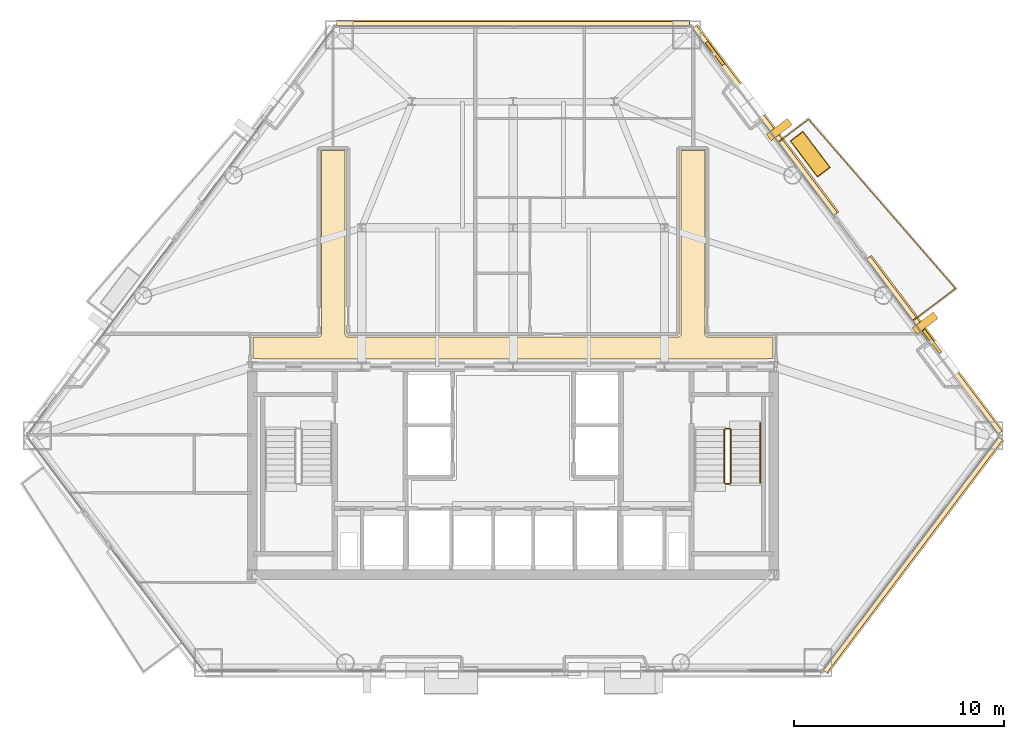
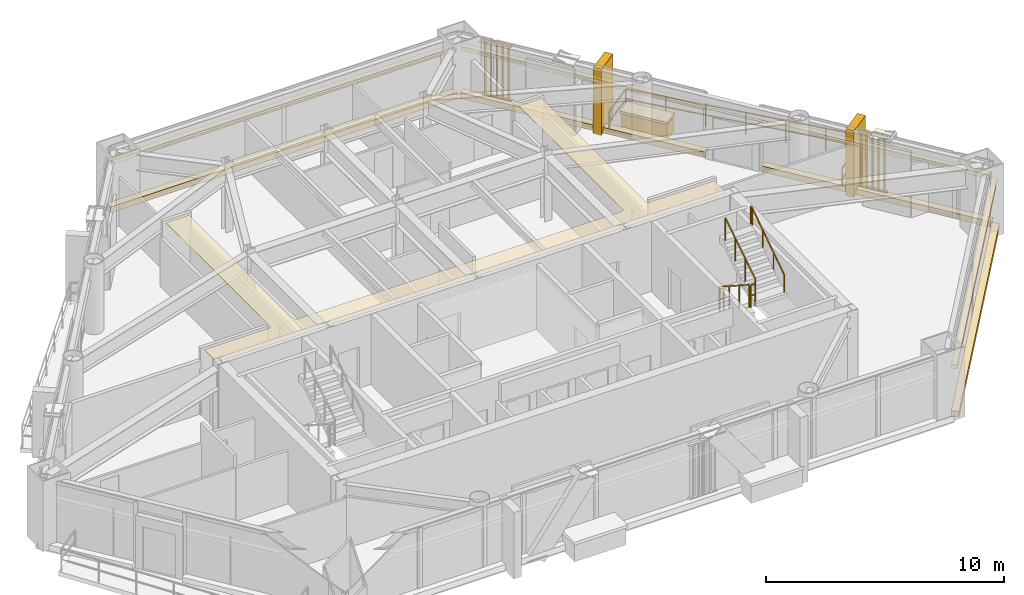
# One storey, part 10 of 10: 13 coverings, 6 railings, 2 shading devices.
"""IFC4 building model written with IfcOpenShell, lengths in metres."""

from ifc_helpers import new_model, si_unit, direction, frame, origin, origin_2d, place, context, subcontext, project, spatial, polyline, rectangle, outline, extrude, source, transform, mapped, material, layer, layer_set, type_object, type_shapes, element, save


model = new_model("IFC4")

# Units and contexts
model_context = context("Model", 3, precision=1e-05, world=origin(), true_north=direction((0.0, 1.0)))
body_context = subcontext(model_context, "Body", "Model", "MODEL_VIEW")
ifc_project = project(units=[si_unit("LENGTHUNIT", "METRE"), si_unit("AREAUNIT", "SQUARE_METRE"), si_unit("VOLUMEUNIT", "CUBIC_METRE"), si_unit("PLANEANGLEUNIT", "RADIAN"), si_unit("MASSUNIT", "GRAM", prefix="KILO")], contexts=[model_context])

# Site, building, storey
site_placement = place(None, origin())
site = spatial("IfcSite", under=ifc_project, at=site_placement, CompositionType="ELEMENT")
building_placement = place(site_placement, origin())
building = spatial("IfcBuilding", under=site, at=building_placement, Name="Talgorran Terracotta Tower", CompositionType="ELEMENT")
storey_placement = place(building_placement, frame((0.0, 0.0, 31.5)))
storey = spatial("IfcBuildingStorey", under=building, at=storey_placement, Name="L07", CompositionType="ELEMENT", Elevation=31.5)

# Coverings
ifc_material_1 = material(Name="Kiln-Fired Terracotta Ochre Ceramic", Category="masonry")
ifc_layer_1 = layer(ifc_material_1, 0.179931640625, Name="COV_BAGUETTE_TERRACOTTA_SCREEN")
ifc_layer_set_1 = layer_set([ifc_layer_1], Name="Kiln-Fired Terracotta Ochre Ceramic")
covering_type_1 = type_object("IfcCoveringType", Name="COV_BAGUETTE_TERRACOTTA_SCREEN", PredefinedType="CLADDING", material=ifc_layer_set_1)
covering_1_placement = place(storey_placement, frame((18.9912109375, -13.1455078125, 2.41015625), z_axis=(0.0, 0.0, 1.0), x_axis=(0.601815023152, 0.798635510047, 0.0)))
element("IfcCovering", 1, at=covering_1_placement, inside=storey, type_object=covering_type_1, Name="L07 Terracotta Baguette Solar Screen Assembly F2", PredefinedType="CLADDING", context=body_context, shape_type="SweptSolid", body=[
    extrude(rectangle(XDim=13.870849609375, YDim=0.260009765625, at=origin_2d()), origin(), (0.0, 0.0, 1.0), 0.219970703125),
])
covering_2_placement = place(storey_placement, frame((20.010986328125, -3.188720703125, 2.41015625), z_axis=(0.0, 0.0, 1.0), x_axis=(-0.601801084241, 0.798646013579, 0.0)))
element("IfcCovering", 2, at=covering_2_placement, inside=storey, type_object=covering_type_1, Name="L07 Terracotta Baguette Solar Screen Assembly F40", PredefinedType="CLADDING", context=body_context, shape_type="SweptSolid", body=[
    extrude(rectangle(XDim=10.401611328125, YDim=0.260009765625, at=origin_2d()), origin(), (0.0, 0.0, 1.0), 0.219970703125),
])
covering_3_placement = place(storey_placement, frame((11.962646484375, 7.491943359375, 2.41015625), z_axis=(0.0, 0.0, 1.0), x_axis=(-0.601815023152, 0.798635510047, 0.0)))
element("IfcCovering", 3, at=covering_3_placement, inside=storey, type_object=covering_type_1, Name="L07 Terracotta Baguette Solar Screen Assembly F41", PredefinedType="CLADDING", context=body_context, shape_type="SweptSolid", body=[
    extrude(rectangle(XDim=11.14599609375, YDim=0.260009765625, at=origin_2d()), origin(), (0.0, 0.0, 1.0), 0.219970703125),
])
covering_4_placement = place(storey_placement, frame((0.0, 12.0703125, 2.41015625), z_axis=(0.0, 0.0, 1.0), x_axis=(-1.0, 0.0, 0.0)))
element("IfcCovering", 4, at=covering_4_placement, inside=storey, type_object=covering_type_1, Name="L07 Terracotta Baguette Solar Screen Assembly F4", PredefinedType="CLADDING", context=body_context, shape_type="SweptSolid", body=[
    extrude(rectangle(XDim=16.78515625, YDim=0.260009765625, at=origin_2d()), origin(), (0.0, 0.0, 1.0), 0.219970703125),
])
ifc_material_2 = material(Name="Mineral Fibre Acoustic Tile")
ifc_layer_2 = layer(ifc_material_2, 0.02490234375, Name="COV_CEIL_ACOUSTIC")
ifc_layer_set_2 = layer_set([ifc_layer_2], Name="Mineral Fibre Acoustic Tile")
covering_type_2 = type_object("IfcCoveringType", Name="COV_CEIL_ACOUSTIC", PredefinedType="CEILING", material=ifc_layer_set_2)
covering_5_placement = place(storey_placement, frame((0.0, 0.0, 3.260009765625)))
element("IfcCovering", 5, at=covering_5_placement, inside=storey, type_object=covering_type_2, Name="CEIL-L07-2", PredefinedType="CEILING", context=body_context, shape_type="SweptSolid", body=[
    extrude(outline(polyline([(-12.364990234375, -2.784912109375), (-9.25, -2.784912109375), (-9.23828125, -2.784423828125), (-9.226806640625, -2.78271484375), (-9.21533203125, -2.77978515625), (-9.20703125, -2.77734375), (-9.196044921875, -2.7734375), (-9.185302734375, -2.768310546875), (-9.17529296875, -2.762451171875), (-9.165771484375, -2.75537109375), (-9.156982421875, -2.74755859375), (-9.149169921875, -2.73876953125), (-9.1435546875, -2.73193359375), (-9.136474609375, -2.722412109375), (-9.13037109375, -2.71240234375), (-9.125244140625, -2.70166015625), (-9.121337890625, -2.690673828125), (-9.118408203125, -2.67919921875), (-9.11669921875, -2.66748046875), (-9.1162109375, -2.65576171875), (-9.114990234375, 6.06494140625), (-7.985107421875, 6.06494140625), (-7.985107421875, -2.64990234375), (-7.984375, -2.66162109375), (-7.982666015625, -2.67333984375), (-7.97998046875, -2.6845703125), (-7.977294921875, -2.69287109375), (-7.973388671875, -2.7041015625), (-7.968505859375, -2.714599609375), (-7.96240234375, -2.724853515625), (-7.955322265625, -2.734375), (-7.947509765625, -2.742919921875), (-7.938720703125, -2.7509765625), (-7.931884765625, -2.756591796875), (-7.922607421875, -2.763671875), (-7.912353515625, -2.769775390625), (-7.901611328125, -2.774658203125), (-7.890625, -2.77880859375), (-7.879150390625, -2.781494140625), (-7.867431640625, -2.783203125), (-7.855712890625, -2.783935546875), (7.85009765625, -2.784912109375), (7.86181640625, -2.784423828125), (7.873291015625, -2.78271484375), (7.884521484375, -2.77978515625), (7.892822265625, -2.77734375), (7.904052734375, -2.7734375), (7.914794921875, -2.768310546875), (7.9248046875, -2.762451171875), (7.934326171875, -2.75537109375), (7.943115234375, -2.74755859375), (7.950927734375, -2.73876953125), (7.95654296875, -2.73193359375), (7.963623046875, -2.722412109375), (7.9697265625, -2.71240234375), (7.974609375, -2.70166015625), (7.978759765625, -2.690673828125), (7.981689453125, -2.67919921875), (7.9833984375, -2.66748046875), (7.98388671875, -2.65576171875), (7.985107421875, 6.06494140625), (9.114990234375, 6.06494140625), (9.114990234375, -2.64990234375), (9.115478515625, -2.66162109375), (9.1171875, -2.67333984375), (9.1201171875, -2.6845703125), (9.12255859375, -2.69287109375), (9.12646484375, -2.7041015625), (9.131591796875, -2.714599609375), (9.1376953125, -2.724853515625), (9.14453125, -2.734375), (9.152587890625, -2.742919921875), (9.1611328125, -2.7509765625), (9.16796875, -2.756591796875), (9.177490234375, -2.763671875), (9.1875, -2.769775390625), (9.1982421875, -2.774658203125), (9.20947265625, -2.77880859375), (9.220703125, -2.781494140625), (9.232421875, -2.783203125), (9.244384765625, -2.783935546875), (12.364990234375, -2.784912109375), (12.364990234375, -3.80908203125), (12.1201171875, -3.80908203125), (12.108154296875, -3.8095703125), (12.0966796875, -3.811279296875), (12.085205078125, -3.814208984375), (12.07421875, -3.818115234375), (12.0634765625, -3.8232421875), (12.05322265625, -3.8291015625), (12.0439453125, -3.836181640625), (12.03515625, -3.843994140625), (12.034423828125, -3.844970703125), (7.432861328125, -3.844970703125), (6.968017578125, -3.843017578125), (6.967529296875, -3.843017578125), (0.232666015625, -3.844970703125), (-0.23193359375, -3.843017578125), (-0.232421875, -3.843017578125), (-6.96728515625, -3.844970703125), (-7.431884765625, -3.843017578125), (-7.4326171875, -3.843017578125), (-12.034423828125, -3.844970703125), (-12.03515625, -3.843994140625), (-12.0439453125, -3.836181640625), (-12.05322265625, -3.8291015625), (-12.0634765625, -3.8232421875), (-12.07421875, -3.818115234375), (-12.085205078125, -3.814208984375), (-12.0966796875, -3.811279296875), (-12.108154296875, -3.8095703125), (-12.1201171875, -3.80908203125), (-12.364990234375, -3.80908203125), (-12.364990234375, -2.784912109375)])), origin(), (0.0, 0.0, 1.0), 0.02001953125),
])
ifc_material_3 = material(Name="Honed Limestone and Terracotta Planter", Category="masonry")
ifc_layer_3 = layer(ifc_material_3, 0.1201171875, Name="COV_PLANTER_BOX")
ifc_layer_set_3 = layer_set([ifc_layer_3], Name="Honed Limestone and Terracotta Planter")
covering_type_3 = type_object("IfcCoveringType", Name="COV_PLANTER_BOX", PredefinedType="CLADDING", material=ifc_layer_set_3)
covering_6_placement = place(storey_placement, frame((14.12548828125, 5.901123046875, -0.02001953125), z_axis=(0.0, 0.0, 1.0), x_axis=(-0.601815023152, 0.798635510047, 0.0)))
element("IfcCovering", 6, at=covering_6_placement, inside=storey, type_object=covering_type_3, Name="L07 Staggered Balcony Planter Box BAL-NE", PredefinedType="CLADDING", context=body_context, shape_type="SweptSolid", body=[
    extrude(rectangle(XDim=2.10009765625, YDim=0.719970703125, at=origin_2d()), origin(), (0.0, 0.0, 1.0), 0.860107421875),
])
ifc_material_4 = material(Name="Kiln-Fired Terracotta Planter Rim", Category="masonry")
ifc_layer_4 = layer(ifc_material_4, 0.10009765625, Name="COV_PLANTER_RIM")
ifc_layer_set_4 = layer_set([ifc_layer_4], Name="Kiln-Fired Terracotta Planter Rim")
covering_type_4 = type_object("IfcCoveringType", Name="COV_PLANTER_RIM", PredefinedType="CLADDING", material=ifc_layer_set_4)
covering_7_placement = place(storey_placement, frame((14.12548828125, 5.901123046875, 0.800048828125), z_axis=(0.0, 0.0, 1.0), x_axis=(-0.601815023152, 0.798635510047, 0.0)))
element("IfcCovering", 7, at=covering_7_placement, inside=storey, type_object=covering_type_4, Name="L07 Balcony Planter Terracotta Rim BAL-NE", PredefinedType="CLADDING", context=body_context, shape_type="SweptSolid", body=[
    extrude(rectangle(XDim=2.179931640625, YDim=0.780029296875, at=origin_2d()), origin(), (0.0, 0.0, 1.0), 0.1201171875),
])
ifc_material_5 = material(Name="Honed Limestone Cladding", Category="masonry")
ifc_layer_5 = layer(ifc_material_5, 0.094970703125, Name="COV_PORTAL_LIME")
ifc_layer_set_5 = layer_set([ifc_layer_5], Name="Honed Limestone Cladding")
covering_type_5 = type_object("IfcCoveringType", Name="COV_PORTAL_LIME", PredefinedType="CLADDING", material=ifc_layer_set_5)
covering_8_placement = place(storey_placement, frame((19.591064453125, -2.133056640625, -0.050048828125), z_axis=(0.0, 0.0, 1.0), x_axis=(-0.601815023152, 0.798635510047, 0.0)))
element("IfcCovering", 8, at=covering_8_placement, inside=storey, type_object=covering_type_5, Name="L07 White Striped Portal Fin F3-1", PredefinedType="CLADDING", context=body_context, shape_type="SweptSolid", body=[
    extrude(rectangle(XDim=0.3798828125, YDim=1.25, at=origin_2d()), origin(), (0.0, 0.0, 1.0), 3.39990234375),
])
ifc_material_6 = material(Name="Kiln-Fired Terracotta Cladding", Category="masonry")
ifc_layer_6 = layer(ifc_material_6, 0.090087890625, Name="COV_PORTAL_TERRA")
ifc_layer_set_6 = layer_set([ifc_layer_6], Name="Kiln-Fired Terracotta Cladding")
covering_type_6 = type_object("IfcCoveringType", Name="COV_PORTAL_TERRA", PredefinedType="CLADDING", material=ifc_layer_set_6)
covering_9_placement = place(storey_placement, frame((19.023193359375, -13.16943359375, -0.0400390625), z_axis=(0.0, 0.0, 1.0), x_axis=(0.601815023152, 0.798635510047, 0.0)))
element("IfcCovering", 9, at=covering_9_placement, inside=storey, type_object=covering_type_6, Name="L07 Striped Postmodern Portal Cladding Band F2", PredefinedType="CLADDING", context=body_context, shape_type="SweptSolid", body=[
    extrude(rectangle(XDim=13.890869140625, YDim=0.340087890625, at=origin_2d()), origin(), (0.0, 0.0, 1.0), 0.300048828125),
])
covering_10_placement = place(storey_placement, frame((20.04296875, -3.164794921875, -0.0400390625), z_axis=(0.0, 0.0, 1.0), x_axis=(-0.601801084241, 0.798646013579, 0.0)))
element("IfcCovering", 10, at=covering_10_placement, inside=storey, type_object=covering_type_6, Name="L07 Striped Postmodern Portal Cladding Band F40", PredefinedType="CLADDING", context=body_context, shape_type="SweptSolid", body=[
    extrude(rectangle(XDim=10.421630859375, YDim=0.340087890625, at=origin_2d()), origin(), (0.0, 0.0, 1.0), 0.300048828125),
])
covering_11_placement = place(storey_placement, frame((11.994384765625, 7.51611328125, -0.0400390625), z_axis=(0.0, 0.0, 1.0), x_axis=(-0.601815023152, 0.798635510047, 0.0)))
element("IfcCovering", 11, at=covering_11_placement, inside=storey, type_object=covering_type_6, Name="L07 Striped Postmodern Portal Cladding Band F41", PredefinedType="CLADDING", context=body_context, shape_type="SweptSolid", body=[
    extrude(rectangle(XDim=11.166015625, YDim=0.340087890625, at=origin_2d()), origin(), (0.0, 0.0, 1.0), 0.300048828125),
])
covering_12_placement = place(storey_placement, frame((0.0, 12.1103515625, -0.0400390625), z_axis=(0.0, 0.0, 1.0), x_axis=(-1.0, 0.0, 0.0)))
element("IfcCovering", 12, at=covering_12_placement, inside=storey, type_object=covering_type_6, Name="L07 Striped Postmodern Portal Cladding Band F4", PredefinedType="CLADDING", context=body_context, shape_type="SweptSolid", body=[
    extrude(rectangle(XDim=16.80517578125, YDim=0.340087890625, at=origin_2d()), origin(), (0.0, 0.0, 1.0), 0.300048828125),
])
covering_13_placement = place(storey_placement, frame((12.656005859375, 7.070068359375, -0.050048828125), z_axis=(0.0, 0.0, 1.0), x_axis=(-0.601815023152, 0.798635510047, 0.0)))
element("IfcCovering", 13, at=covering_13_placement, inside=storey, type_object=covering_type_6, Name="L07 Terracotta Striped Portal Fin F3-2", PredefinedType="CLADDING", context=body_context, shape_type="SweptSolid", body=[
    extrude(rectangle(XDim=0.3798828125, YDim=1.25, at=origin_2d()), origin(), (0.0, 0.0, 1.0), 3.39990234375),
])

# Railings
ifc_material_7 = material(Name="Laminated Glass and Stainless Steel 316", Category="steel")
railing_type_1 = type_object("IfcRailingType", Name="RL_BALCONY_1150", PredefinedType="BALUSTRADE", material=ifc_material_7)
railing_1_placement = place(storey_placement, frame((19.01806640625, -2.004150390625, 0.0)))
element("IfcRailing", 14, at=railing_1_placement, inside=storey, type_object=railing_type_1, Name="RL-L07-BAL-BAL-NE", PredefinedType="BALUSTRADE", context=body_context, shape_type="SweptSolid", body=[
    extrude(rectangle(XDim=0.048095703125, YDim=0.048095703125, at=origin_2d()), frame((0.0, 0.0, 1.1259765625), z_axis=(0.798650114079, 0.601795642459, 0.0), x_axis=(-0.601795642459, 0.798650114079, 0.0)), (0.0, 0.0, 1.0), 2.521240234375),
    extrude(rectangle(XDim=0.048095703125, YDim=0.048095703125, at=origin_2d()), frame((0.0, 0.0, 0.597900390625), z_axis=(0.798650114079, 0.601795642459, 0.0), x_axis=(-0.601795642459, 0.798650114079, 0.0)), (0.0, 0.0, 1.0), 2.521240234375),
    extrude(rectangle(XDim=0.048095703125, YDim=0.048095703125, at=origin_2d()), frame((2.013671875, 1.517333984375, 1.1259765625), z_axis=(-0.655873996829, 0.754870386413, 0.0), x_axis=(-0.754870386413, -0.655873996829, 0.0)), (0.0, 0.0, 1.0), 10.65380859375),
    extrude(rectangle(XDim=0.048095703125, YDim=0.048095703125, at=origin_2d()), frame((2.013671875, 1.517333984375, 0.597900390625), z_axis=(-0.655873996829, 0.754870386413, 0.0), x_axis=(-0.754870386413, -0.655873996829, 0.0)), (0.0, 0.0, 1.0), 10.65380859375),
    extrude(rectangle(XDim=0.048095703125, YDim=0.048095703125, at=origin_2d()), frame((-4.973876953125, 9.5595703125, 1.1259765625), z_axis=(-0.798599421322, -0.60186291152, 0.0), x_axis=(0.60186291152, -0.798599421322, 0.0)), (0.0, 0.0, 1.0), 1.78076171875),
    extrude(rectangle(XDim=0.048095703125, YDim=0.048095703125, at=origin_2d()), frame((-4.973876953125, 9.5595703125, 0.597900390625), z_axis=(-0.798599421322, -0.60186291152, 0.0), x_axis=(0.60186291152, -0.798599421322, 0.0)), (0.0, 0.0, 1.0), 1.78076171875),
    extrude(rectangle(XDim=0.0419921875, YDim=0.0419921875, at=origin_2d()), origin(), (0.0, 0.0, 1.0), 1.101806640625),
    extrude(rectangle(XDim=0.0419921875, YDim=0.0419921875, at=origin_2d()), frame((1.0068359375, 0.7587890625, 0.0)), (0.0, 0.0, 1.0), 1.101806640625),
    extrude(rectangle(XDim=0.0419921875, YDim=0.0419921875, at=origin_2d()), frame((2.013671875, 1.517333984375, 0.0)), (0.0, 0.0, 1.0), 1.101806640625),
    extrude(rectangle(XDim=0.0419921875, YDim=0.0419921875, at=origin_2d()), frame((0.84912109375, 2.857666015625, 0.0)), (0.0, 0.0, 1.0), 1.101806640625),
    extrude(rectangle(XDim=0.0419921875, YDim=0.0419921875, at=origin_2d()), frame((-0.3154296875, 4.197998046875, 0.0)), (0.0, 0.0, 1.0), 1.101806640625),
    extrude(rectangle(XDim=0.0419921875, YDim=0.0419921875, at=origin_2d()), frame((-1.47998046875, 5.53857421875, 0.0)), (0.0, 0.0, 1.0), 1.101806640625),
    extrude(rectangle(XDim=0.0419921875, YDim=0.0419921875, at=origin_2d()), frame((-2.644775390625, 6.87890625, 0.0)), (0.0, 0.0, 1.0), 1.101806640625),
    extrude(rectangle(XDim=0.0419921875, YDim=0.0419921875, at=origin_2d()), frame((-3.809326171875, 8.21923828125, 0.0)), (0.0, 0.0, 1.0), 1.101806640625),
    extrude(rectangle(XDim=0.0419921875, YDim=0.0419921875, at=origin_2d()), frame((-4.973876953125, 9.5595703125, 0.0)), (0.0, 0.0, 1.0), 1.101806640625),
    extrude(rectangle(XDim=0.0419921875, YDim=0.0419921875, at=origin_2d()), frame((-6.39599609375, 8.48779296875, 0.0)), (0.0, 0.0, 1.0), 1.101806640625),
])
ifc_material_8 = material(Name="Steel S355 (300PLUS)", Category="steel")
railing_type_2 = type_object("IfcRailingType", Name="RL_HANDRAIL_920", PredefinedType="HANDRAIL", material=ifc_material_8)
railing_2_placement = place(storey_placement, frame((11.75, -9.719970703125, 1.97998046875)))
element("IfcRailing", 15, at=railing_2_placement, inside=storey, type_object=railing_type_2, Name="L07 ST-02 stair handrail 2", PredefinedType="HANDRAIL", context=body_context, shape_type="SweptSolid", body=[
    extrude(rectangle(XDim=0.048095703125, YDim=0.048095703125, at=origin_2d()), frame((0.0, 0.0, 0.89599609375), z_axis=(0.0, 0.832038719335, 0.554717558338), x_axis=(-1.0, 0.0, 0.0)), (0.0, 0.0, 1.0), 3.244873046875),
    extrude(rectangle(XDim=0.048095703125, YDim=0.048095703125, at=origin_2d()), frame((0.0, 2.699951171875, 2.69580078125), z_axis=(0.0, 1.0, 0.0), x_axis=(-1.0, 0.0, 0.0)), (0.0, 0.0, 1.0), 0.1201171875),
    extrude(rectangle(XDim=0.0419921875, YDim=0.0419921875, at=origin_2d()), origin(), (0.0, 0.0, 1.0), 0.871826171875),
    extrude(rectangle(XDim=0.0419921875, YDim=0.0419921875, at=origin_2d()), frame((0.0, 0.89990234375, 0.60009765625)), (0.0, 0.0, 1.0), 0.871826171875),
    extrude(rectangle(XDim=0.0419921875, YDim=0.0419921875, at=origin_2d()), frame((0.0, 1.800048828125, 1.199951171875)), (0.0, 0.0, 1.0), 0.871826171875),
    extrude(rectangle(XDim=0.0419921875, YDim=0.0419921875, at=origin_2d()), frame((0.0, 2.699951171875, 1.800048828125)), (0.0, 0.0, 1.0), 0.871826171875),
    extrude(rectangle(XDim=0.0419921875, YDim=0.0419921875, at=origin_2d()), frame((0.0, 2.820068359375, 1.800048828125)), (0.0, 0.0, 1.0), 0.871826171875),
])
railing_type_3 = type_object("IfcRailingType", Name="RL_STAIR_GUARD", PredefinedType="GUARDRAIL", material=ifc_material_8)
railing_3_placement = place(storey_placement, frame((10.050048828125, -7.199951171875, 0.179931640625)))
element("IfcRailing", 16, at=railing_3_placement, inside=storey, type_object=railing_type_3, Name="L07 ST-02 stair guard 1", PredefinedType="GUARDRAIL", context=body_context, shape_type="SweptSolid", body=[
    extrude(rectangle(XDim=0.048095703125, YDim=0.048095703125, at=origin_2d()), frame((0.0, 0.0, 1.15576171875), z_axis=(0.0, -0.841162588446, 0.540782303519), x_axis=(1.0, 0.0, 0.0)), (0.0, 0.0, 1.0), 2.995849609375),
    extrude(rectangle(XDim=0.0419921875, YDim=0.0419921875, at=origin_2d()), origin(), (0.0, 0.0, 1.0), 1.1318359375),
    extrude(rectangle(XDim=0.0419921875, YDim=0.0419921875, at=origin_2d()), frame((0.0, -0.840087890625, 0.5400390625)), (0.0, 0.0, 1.0), 1.1318359375),
    extrude(rectangle(XDim=0.0419921875, YDim=0.0419921875, at=origin_2d()), frame((0.0, -1.679931640625, 1.080078125)), (0.0, 0.0, 1.0), 1.1318359375),
    extrude(rectangle(XDim=0.0419921875, YDim=0.0419921875, at=origin_2d()), frame((0.0, -2.52001953125, 1.6201171875)), (0.0, 0.0, 1.0), 1.1318359375),
])
railing_4_placement = place(storey_placement, frame((10.10009765625, -9.77001953125, 1.800048828125)))
element("IfcRailing", 17, at=railing_4_placement, inside=storey, type_object=railing_type_3, Name="L07 ST-02 stair guard 2", PredefinedType="GUARDRAIL", context=body_context, shape_type="SweptSolid", body=[
    extrude(rectangle(XDim=0.048095703125, YDim=0.048095703125, at=origin_2d()), frame((0.0, 0.0, 1.15576171875), z_axis=(1.0, 0.0, 0.0), x_axis=(0.0, 1.0, 0.0)), (0.0, 0.0, 1.0), 0.199951171875),
    extrude(rectangle(XDim=0.048095703125, YDim=0.048095703125, at=origin_2d()), frame((0.0, 0.0, 0.613525390625), z_axis=(1.0, 0.0, 0.0), x_axis=(0.0, 1.0, 0.0)), (0.0, 0.0, 1.0), 0.199951171875),
    extrude(rectangle(XDim=0.0419921875, YDim=0.0419921875, at=origin_2d()), origin(), (0.0, 0.0, 1.0), 1.1318359375),
    extrude(rectangle(XDim=0.0419921875, YDim=0.0419921875, at=origin_2d()), frame((0.199951171875, 0.0, 0.0)), (0.0, 0.0, 1.0), 1.1318359375),
])
railing_5_placement = place(storey_placement, frame((10.35009765625, -9.719970703125, 1.97998046875)))
element("IfcRailing", 18, at=railing_5_placement, inside=storey, type_object=railing_type_3, Name="L07 ST-02 stair guard 3", PredefinedType="GUARDRAIL", context=body_context, shape_type="SweptSolid", body=[
    extrude(rectangle(XDim=0.048095703125, YDim=0.048095703125, at=origin_2d()), frame((0.0, 0.0, 1.15576171875), z_axis=(0.0, 0.841162588446, 0.540782303519), x_axis=(-1.0, 0.0, 0.0)), (0.0, 0.0, 1.0), 2.995849609375),
    extrude(rectangle(XDim=0.0419921875, YDim=0.0419921875, at=origin_2d()), origin(), (0.0, 0.0, 1.0), 1.1318359375),
    extrude(rectangle(XDim=0.0419921875, YDim=0.0419921875, at=origin_2d()), frame((0.0, 0.840087890625, 0.5400390625)), (0.0, 0.0, 1.0), 1.1318359375),
    extrude(rectangle(XDim=0.0419921875, YDim=0.0419921875, at=origin_2d()), frame((0.0, 1.679931640625, 1.080078125)), (0.0, 0.0, 1.0), 1.1318359375),
    extrude(rectangle(XDim=0.0419921875, YDim=0.0419921875, at=origin_2d()), frame((0.0, 2.52001953125, 1.6201171875)), (0.0, 0.0, 1.0), 1.1318359375),
])
railing_6_placement = place(storey_placement, frame((10.10009765625, -7.14990234375, 0.0)))
element("IfcRailing", 19, at=railing_6_placement, inside=storey, type_object=railing_type_3, Name="L07 ST-02 stair guard 4", PredefinedType="GUARDRAIL", context=body_context, shape_type="SweptSolid", body=[
    extrude(rectangle(XDim=0.048095703125, YDim=0.048095703125, at=origin_2d()), frame((0.0, 0.0, 1.15576171875), z_axis=(1.0, 0.0, 0.0), x_axis=(0.0, 1.0, 0.0)), (0.0, 0.0, 1.0), 0.199951171875),
    extrude(rectangle(XDim=0.048095703125, YDim=0.048095703125, at=origin_2d()), frame((0.0, 0.0, 0.613525390625), z_axis=(1.0, 0.0, 0.0), x_axis=(0.0, 1.0, 0.0)), (0.0, 0.0, 1.0), 0.199951171875),
    extrude(rectangle(XDim=0.0419921875, YDim=0.0419921875, at=origin_2d()), origin(), (0.0, 0.0, 1.0), 1.1318359375),
    extrude(rectangle(XDim=0.0419921875, YDim=0.0419921875, at=origin_2d()), frame((0.199951171875, 0.0, 0.0)), (0.0, 0.0, 1.0), 1.1318359375),
])

# Shading devices
ifc_material_9 = material(Name="Kiln-Fired Terracotta", Category="masonry")
ifc_layer_7 = layer(ifc_material_9, 0.139892578125, Name="SHD_BAGUETTE_TERRA")
ifc_layer_set_7 = layer_set([ifc_layer_7], Name="Kiln-Fired Terracotta")
shading_device_type = type_object("IfcShadingDeviceType", Name="SHD_BAGUETTE_TERRA", PredefinedType="JALOUSIE", material=ifc_layer_set_7)
shared_shape = source(origin(), body_context, "Body", "SweptSolid", [
    extrude(rectangle(XDim=1.35009765625, YDim=0.139892578125, at=origin_2d()), origin(), (0.0, 0.0, 1.0), 0.054931640625),
    extrude(rectangle(XDim=1.35009765625, YDim=0.139892578125, at=origin_2d()), frame((0.0, 0.0, 2.7451171875)), (0.0, 0.0, 1.0), 0.054931640625),
    extrude(rectangle(XDim=0.074951171875, YDim=0.139892578125, at=origin_2d()), frame((-0.53515625, 0.0, 0.054931640625), z_axis=(0.0, 0.0, 1.0), x_axis=(0.866025403784, 0.5, 0.0)), (0.0, 0.0, 1.0), 2.690185546875),
    extrude(rectangle(XDim=0.074951171875, YDim=0.139892578125, at=origin_2d()), frame((-0.267578125, 0.0, 0.054931640625), z_axis=(0.0, 0.0, 1.0), x_axis=(0.866025403784, 0.5, 0.0)), (0.0, 0.0, 1.0), 2.690185546875),
    extrude(rectangle(XDim=0.074951171875, YDim=0.139892578125, at=origin_2d()), frame((0.0, 0.0, 0.054931640625), z_axis=(0.0, 0.0, 1.0), x_axis=(0.866025403784, 0.5, 0.0)), (0.0, 0.0, 1.0), 2.690185546875),
    extrude(rectangle(XDim=0.074951171875, YDim=0.139892578125, at=origin_2d()), frame((0.267578125, 0.0, 0.054931640625), z_axis=(0.0, 0.0, 1.0), x_axis=(0.866025403784, 0.5, 0.0)), (0.0, 0.0, 1.0), 2.690185546875),
    extrude(rectangle(XDim=0.074951171875, YDim=0.139892578125, at=origin_2d()), frame((0.53515625, 0.0, 0.054931640625), z_axis=(0.0, 0.0, 1.0), x_axis=(0.866025403784, 0.5, 0.0)), (0.0, 0.0, 1.0), 2.690185546875),
])
type_shapes(shading_device_type, [shared_shape])
for number, where, z_axis, x_axis, name in (
    (20, (19.920654296875, -3.00244140625, 0.35009765625), (0.0, 0.0, 1.0), (-0.601801084241, 0.798646013579, 0.0), "BAG-L07-F40"),
    (21, (9.603271484375, 10.689208984375, 0.35009765625), (0.0, 0.0, 1.0), (-0.601815023152, 0.798635510047, 0.0), "BAG-L07-F41"),
):
    element("IfcShadingDevice", number, at=place(storey_placement, frame(where, z_axis=z_axis, x_axis=x_axis)), inside=storey, type_object=shading_device_type, Name=name, PredefinedType="JALOUSIE", context=body_context, shape_type="MappedRepresentation", body=[
        mapped(shared_shape, transform((0.0, 0.0, 0.0), scale=1.0)),
    ])

save(model, "model.ifc")
